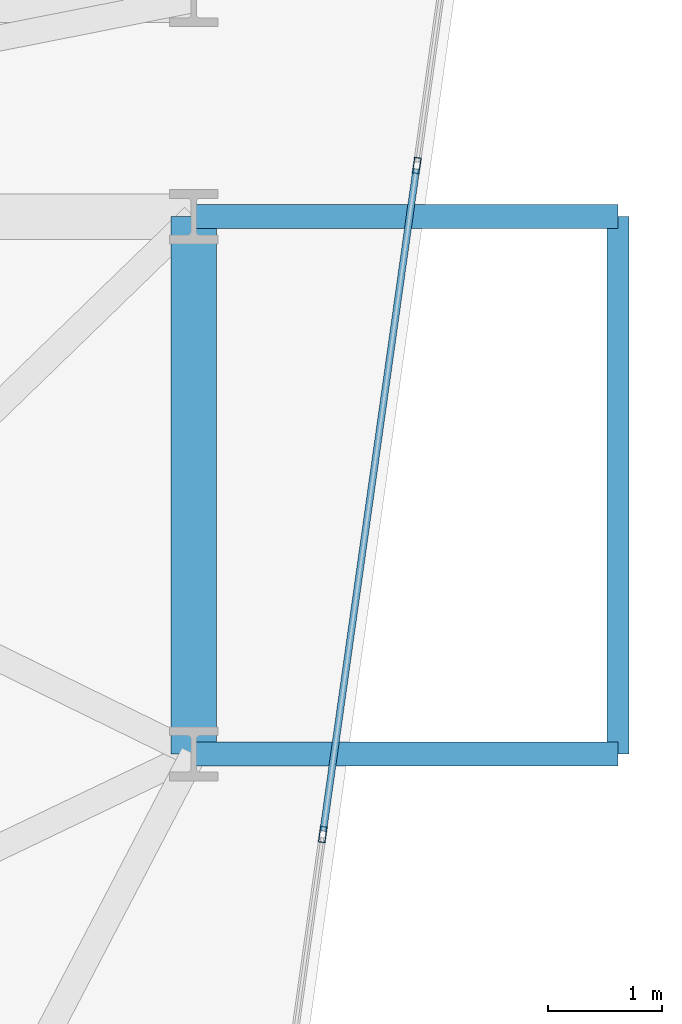
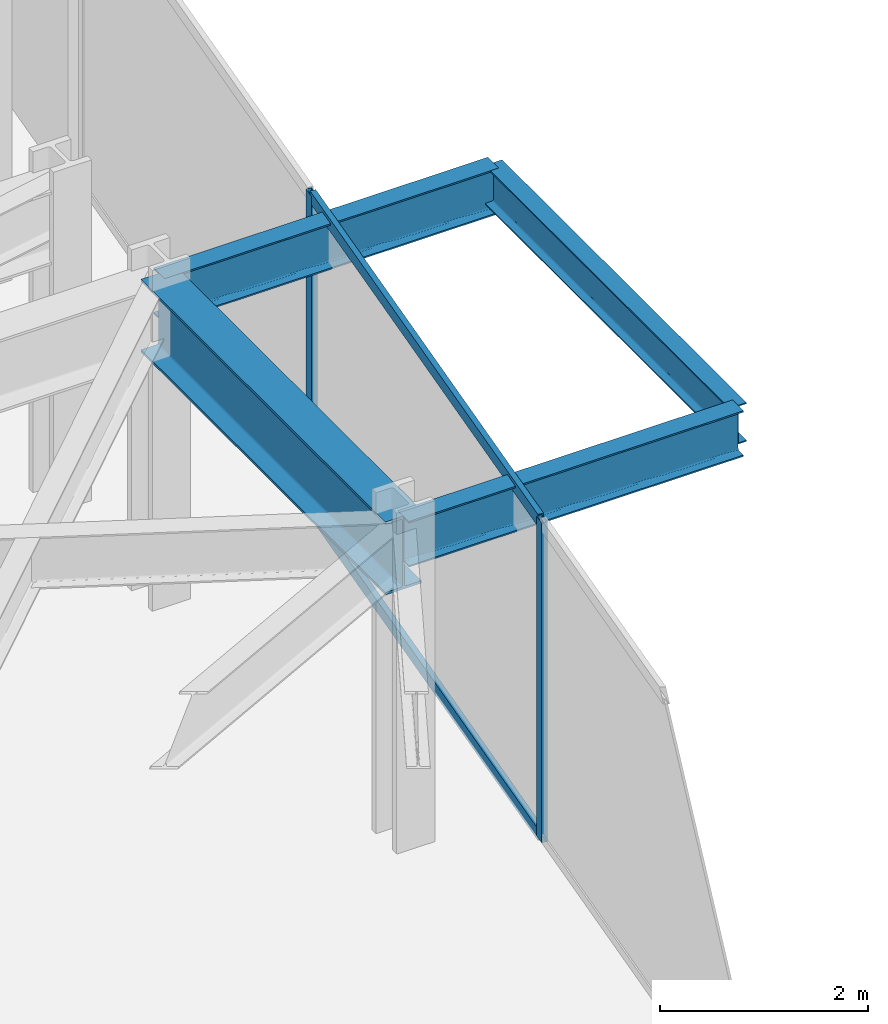
# One storey, part 16 of 24: 4 beams, 4 members, 1 element without a shape of its own.
"""IFC4 building model written with IfcOpenShell, lengths in metres."""

from ifc_helpers import new_model, si_unit, direction, frame, origin, origin_2d, place, context, subcontext, project, spatial, hollow_rectangle, i_section, extrude, material, layer, layer_set, material_profile, profile_set, type_object, element, aggregate, save


model = new_model("IFC4")

# Units and contexts
model_context = context("Model", 3, precision=1e-05, world=origin(), true_north=direction((0.0, 1.0)))
body_context = subcontext(model_context, "Body", "Model", "MODEL_VIEW")
ifc_project = project(units=[si_unit("LENGTHUNIT", "METRE"), si_unit("AREAUNIT", "SQUARE_METRE"), si_unit("VOLUMEUNIT", "CUBIC_METRE"), si_unit("PLANEANGLEUNIT", "RADIAN"), si_unit("MASSUNIT", "GRAM", prefix="KILO")], contexts=[model_context])

# Site, building, storey
site_placement = place(None, origin())
site = spatial("IfcSite", under=ifc_project, at=site_placement, CompositionType="ELEMENT")
building_placement = place(site_placement, origin())
building = spatial("IfcBuilding", under=site, at=building_placement, Name="Kravanh Interchange Tower", CompositionType="ELEMENT")
storey_placement = place(building_placement, frame((0.0, 0.0, 96.0)))
storey = spatial("IfcBuildingStorey", under=building, at=storey_placement, Name="L22", CompositionType="ELEMENT", Elevation=96.0)

# Curtain wall, members
ifc_material_1 = material(Name="Anodised Bronze Aluminium", Category="aluminium")
ifc_layer = layer(ifc_material_1, 0.179931640625)
ifc_layer_set = layer_set([ifc_layer], Name="Unitised Curtain Wall System CW-Z2 Mid Office")
curtain_wall_type = type_object("IfcCurtainWallType", Name="Unitised Curtain Wall System CW-Z2 Mid Office", PredefinedType="NOTDEFINED", material=ifc_layer_set)
curtain_wall_placement = place(storey_placement, origin())
curtain_wall = element("IfcCurtainWall", 1, at=curtain_wall_placement, inside=storey, type_object=curtain_wall_type, Name="L22 Unitised Curtain Wall CW-L22-01", PredefinedType="NOTDEFINED")
ifc_material_2 = material(Name="Anodised Bronze Aluminium", Category="aluminium")
ifc_material_profile_1 = material_profile(ifc_material_2, hollow_rectangle(XDim=0.06005859375, YDim=0.139892578125, WallThickness=0.00390625, at=origin_2d()), Name="ALU60X140X4")
ifc_profile_set_1 = profile_set([ifc_material_profile_1], Name="Anodised Bronze Aluminium")
member_type_1 = type_object("IfcMemberType", Name="Curtain Wall Mullion ALU60X140X4 Bronze", PredefinedType="MULLION", material=ifc_profile_set_1)
member_1_placement = place(storey_placement, frame((67.552490234375, 31.94775390625, 0.0), z_axis=(0.0, 0.0, 1.0), x_axis=(0.990268103846, -0.13917285118, 0.0)))
member_1 = element("IfcMember", 2, at=member_1_placement, type_object=member_type_1, Name="CW-Z2 mullion 2", PredefinedType="MULLION", context=body_context, shape_type="SweptSolid", body=[
    extrude(hollow_rectangle(XDim=0.06005859375, YDim=0.139892578125, WallThickness=0.00390625, at=origin_2d()), origin(), (0.0, 0.0, 1.0), 3.75),
])
member_2_placement = place(storey_placement, frame((66.72998046875, 26.095458984375, 0.0), z_axis=(0.0, 0.0, 1.0), x_axis=(0.990268103846, -0.13917285118, 0.0)))
member_2 = element("IfcMember", 3, at=member_2_placement, type_object=member_type_1, Name="CW-Z2 mullion 3", PredefinedType="MULLION", context=body_context, shape_type="SweptSolid", body=[
    extrude(hollow_rectangle(XDim=0.06005859375, YDim=0.139892578125, WallThickness=0.00390625, at=origin_2d()), origin(), (0.0, 0.0, 1.0), 3.75),
])
ifc_material_3 = material(Name="Anodised Bronze Aluminium", Category="aluminium")
ifc_material_profile_2 = material_profile(ifc_material_3, hollow_rectangle(XDim=0.06005859375, YDim=0.139892578125, WallThickness=0.00390625, at=origin_2d()), Name="ALU60X140X4")
ifc_profile_set_2 = profile_set([ifc_material_profile_2], Name="Anodised Bronze Aluminium")
member_type_2 = type_object("IfcMemberType", Name="Curtain Wall Transom ALU60X140X4 Bronze", PredefinedType="USERDEFINED", material=ifc_profile_set_2)
member_3_placement = place(storey_placement, frame((67.54833984375, 31.91796875, 0.030029296875), z_axis=(-0.13918896503, -0.990265839062, 0.0), x_axis=(0.990265839062, -0.13918896503, 0.0)))
member_3 = element("IfcMember", 4, at=member_3_placement, type_object=member_type_2, Name="CW-Z2 transom 2.1", ObjectType="TRANSOM", PredefinedType="USERDEFINED", context=body_context, shape_type="SweptSolid", body=[
    extrude(hollow_rectangle(XDim=0.06005859375, YDim=0.139892578125, WallThickness=0.00390625, at=origin_2d()), origin(), (0.0, 0.0, 1.0), 5.849609375),
])
member_4_placement = place(storey_placement, frame((67.54833984375, 31.91796875, 3.719970703125), z_axis=(-0.13918896503, -0.990265839062, 0.0), x_axis=(0.990265839062, -0.13918896503, 0.0)))
member_4 = element("IfcMember", 5, at=member_4_placement, type_object=member_type_2, Name="CW-Z2 transom 2.2", ObjectType="TRANSOM", PredefinedType="USERDEFINED", context=body_context, shape_type="SweptSolid", body=[
    extrude(hollow_rectangle(XDim=0.06005859375, YDim=0.139892578125, WallThickness=0.00390625, at=origin_2d()), origin(), (0.0, 0.0, 1.0), 5.849609375),
])
aggregate(curtain_wall, [member_1, member_2, member_3, member_4])

# Beams
ifc_material_4 = material(Name="Structural Steel S355", Category="steel")
ifc_material_profile_3 = material_profile(ifc_material_4, i_section(OverallWidth=0.39990234375, OverallDepth=0.85595703125, WebThickness=0.018310546875, FlangeThickness=0.029296875, FilletRadius=0.02490234375, at=origin_2d()), Name="W33X201")
ifc_profile_set_3 = profile_set([ifc_material_profile_3], Name="Structural Steel S355")
beam_type_1 = type_object("IfcBeamType", Name="Floor Beam W33X201 Structural Steel S355", PredefinedType="BEAM", material=ifc_profile_set_3)
beam_1_placement = place(storey_placement, frame((65.60009765625, 26.800048828125, 3.322021484375), z_axis=(0.0, 1.0, 0.0), x_axis=(-1.0, 0.0, 0.0)))
element("IfcBeam", 6, at=beam_1_placement, inside=storey, type_object=beam_type_1, Name="L22 Primary Floor Girder 65", PredefinedType="BEAM", context=body_context, shape_type="SweptSolid", body=[
    extrude(i_section(OverallWidth=0.39990234375, OverallDepth=0.85595703125, WebThickness=0.018310546875, FlangeThickness=0.029296875, FilletRadius=0.02490234375, at=origin_2d()), origin(), (0.0, 0.0, 1.0), 4.699951171875),
])
ifc_material_5 = material(Name="Structural Steel S355", Category="steel")
ifc_material_profile_4 = material_profile(ifc_material_5, i_section(OverallWidth=0.18994140625, OverallDepth=0.45703125, WebThickness=0.009033203125, FlangeThickness=0.014404296875, FilletRadius=0.01806640625, at=origin_2d()), Name="W18X50")
ifc_profile_set_4 = profile_set([ifc_material_profile_4], Name="Structural Steel S355")
beam_type_2 = type_object("IfcBeamType", Name="Floor Joist W18X50 Structural Steel S355", PredefinedType="JOIST", material=ifc_profile_set_4)
beam_2_placement = place(storey_placement, frame((69.31298828125, 26.800048828125, 3.521484375), z_axis=(0.0, 1.0, 0.0), x_axis=(-1.0, 0.0, 0.0)))
element("IfcBeam", 7, at=beam_2_placement, inside=storey, type_object=beam_type_2, Name="L22 Balcony Edge Tie Beam E", PredefinedType="JOIST", context=body_context, shape_type="SweptSolid", body=[
    extrude(i_section(OverallWidth=0.18994140625, OverallDepth=0.45703125, WebThickness=0.009033203125, FlangeThickness=0.014404296875, FilletRadius=0.01806640625, at=origin_2d()), origin(), (0.0, 0.0, 1.0), 4.699951171875),
])
ifc_material_6 = material(Name="Structural Steel S355", Category="steel")
ifc_material_profile_5 = material_profile(ifc_material_6, i_section(OverallWidth=0.2099609375, OverallDepth=0.537109375, WebThickness=0.010986328125, FlangeThickness=0.017333984375, FilletRadius=0.02001953125, at=origin_2d()), Name="W21X68")
ifc_profile_set_5 = profile_set([ifc_material_profile_5], Name="Structural Steel S355")
beam_type_3 = type_object("IfcBeamType", Name="Floor Spandrel W21X68 Structural Steel S355", PredefinedType="SPANDREL", material=ifc_profile_set_5)
for number, where, z_axis, x_axis, name in (
    (8, (65.60009765625, 26.800048828125, 3.4814453125), (1.0, 0.0, 0.0), (0.0, 1.0, 0.0), "L22 Balcony Cantilever Outrigger E1"),
    (9, (65.60009765625, 31.5, 3.4814453125), (1.0, 0.0, 0.0), (0.0, 1.0, 0.0), "L22 Balcony Cantilever Outrigger E2"),
):
    element("IfcBeam", number, at=place(storey_placement, frame(where, z_axis=z_axis, x_axis=x_axis)), inside=storey, type_object=beam_type_3, Name=name, PredefinedType="SPANDREL", context=body_context, shape_type="SweptSolid", body=[
        extrude(i_section(OverallWidth=0.2099609375, OverallDepth=0.537109375, WebThickness=0.010986328125, FlangeThickness=0.017333984375, FilletRadius=0.02001953125, at=origin_2d()), origin(), (0.0, 0.0, 1.0), 3.712890625),
    ])

save(model, "model.ifc")
